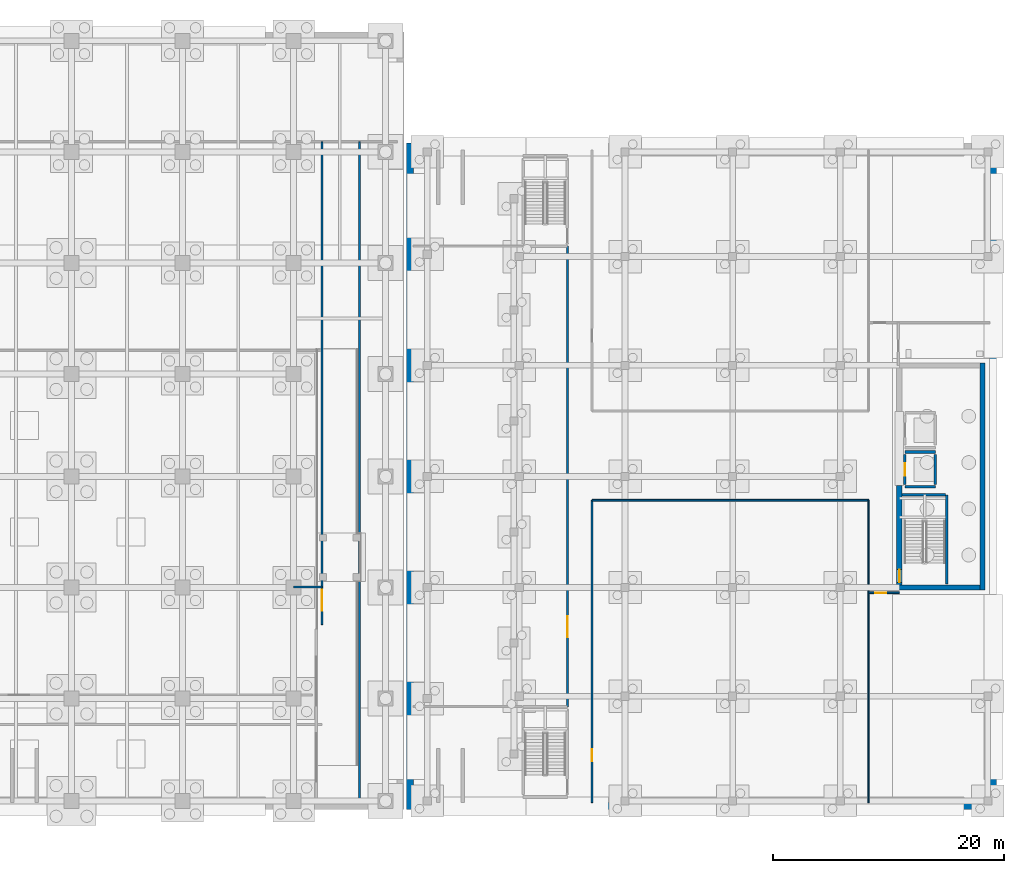
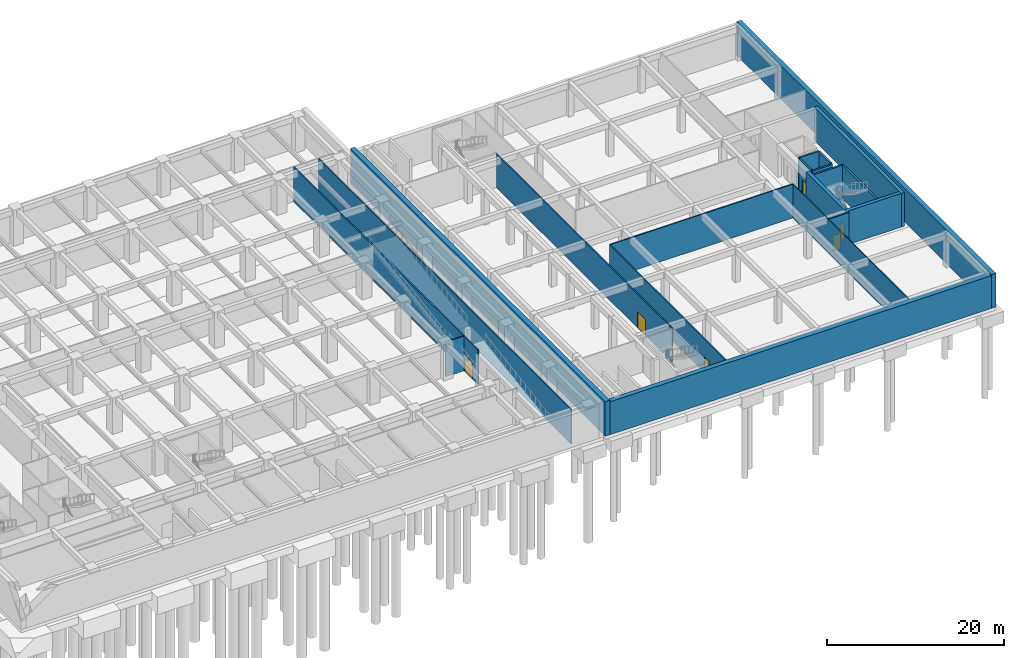
# One storey, part 13 of 20: 20 walls, 6 doors, 6 openings.
"""IFC4 building model written with IfcOpenShell, lengths in metres."""

from ifc_helpers import new_model, si_unit, direction, frame, frame_2d, origin, place, context, subcontext, project, spatial, rectangle, extrude, material, layer, layer_set, type_object, element, fill, save


model = new_model("IFC4")

# Units and contexts
model_context = context("Model", 3, precision=1e-05, world=origin(), true_north=direction((0.0, 1.0)))
body_context = subcontext(model_context, "Body", "Model", "MODEL_VIEW")
ifc_project = project(units=[si_unit("LENGTHUNIT", "METRE"), si_unit("AREAUNIT", "SQUARE_METRE"), si_unit("VOLUMEUNIT", "CUBIC_METRE"), si_unit("PLANEANGLEUNIT", "RADIAN"), si_unit("MASSUNIT", "GRAM", prefix="KILO")], contexts=[model_context])

# Site, building, storey
site_placement = place(None, origin())
site = spatial("IfcSite", under=ifc_project, at=site_placement, CompositionType="ELEMENT")
building_placement = place(site_placement, origin())
building = spatial("IfcBuilding", under=site, at=building_placement, Name="Norrvale University Quadrangle", CompositionType="ELEMENT")
storey_placement = place(building_placement, frame((0.0, 0.0, -5.0)))
storey = spatial("IfcBuildingStorey", under=building, at=storey_placement, Name="B01", CompositionType="ELEMENT", Elevation=-5.0)

# Wall
ifc_material_1 = material(Name="Standard Academic Gypsum Partition")
ifc_layer_1 = layer(ifc_material_1, 0.125, Name="Standard Academic Gypsum Partition")
ifc_layer_set_1 = layer_set([ifc_layer_1], Name="Standard Academic Gypsum Partition")
wall_type_1 = type_object("IfcWallType", Name="Wall Gypsum Academic 125", PredefinedType="PARTITIONING", material=ifc_layer_set_1)
wall_1_placement = place(storey_placement, frame((116.139892578125, 0.60009765625, 0.0), z_axis=(0.0, 0.0, 1.0), x_axis=(0.0, 1.0, 0.0)))
element("IfcWall", 1, at=wall_1_placement, inside=storey, type_object=wall_type_1, Name="Interior Partition WL-B01-LCW-SE", PredefinedType="PARTITIONING", context=body_context, shape_type="SweptSolid", body=[
    extrude(rectangle(XDim=26.139892578125, YDim=0.125, at=frame_2d((13.06982421875, 0.0))), origin(), (0.0, 0.0, 1.0), 4.64990234375),
])

# Wall, opening, door
ifc_material_2 = material(Name="Fire-Rated Gypsum Stud Partition")
ifc_layer_2 = layer(ifc_material_2, 0.14990234375, Name="Fire-Rated Gypsum Stud Partition")
ifc_layer_set_2 = layer_set([ifc_layer_2], Name="Fire-Rated Gypsum Stud Partition")
wall_type_2 = type_object("IfcWallType", Name="Wall Gypsum Corridor 150", PredefinedType="PARTITIONING", material=ifc_layer_set_2)
wall_2_placement = place(storey_placement, frame((68.89990234375, 16.0, 0.0), z_axis=(0.0, 0.0, 1.0), x_axis=(0.0, 1.0, 0.0)))
wall_2 = element("IfcWall", 2, at=wall_2_placement, inside=storey, type_object=wall_type_2, Name="Interior Partition WL-B01-CEEND", PredefinedType="PARTITIONING", context=body_context, shape_type="SweptSolid", body=[
    extrude(rectangle(XDim=41.719970703125, YDim=0.14990234375, at=frame_2d((20.85986328125, 0.0))), origin(), (0.0, 0.0, 1.0), 4.780029296875),
])
opening_1_placement = place(wall_2_placement, frame((1.199951171875, 0.0, 0.0)))
opening_1 = element("IfcOpeningElement", 3, at=opening_1_placement, cuts=wall_2, Name="Opening D03", PredefinedType="OPENING", context=body_context, shape_type="SweptSolid", body=[
    extrude(rectangle(XDim=1.800048828125, YDim=2.199951171875, at=frame_2d((0.89990234375, 1.10009765625))), frame((0.0, 0.0869140625, 0.0), z_axis=(0.0, -1.0, 0.0), x_axis=(1.0, 0.0, 0.0)), (0.0, 0.0, 1.0), 0.173828125),
])
ifc_material_3 = material(Name="Hollow Steel 350W Fire Door", Category="steel")
door_type_1 = type_object("IfcDoorType", Name="Door Fire Lobby 1800x2200", OperationType="DOUBLE_DOOR_SINGLE_SWING", PredefinedType="DOOR", material=ifc_material_3)
door_1_placement = place(opening_1_placement, origin())
door_1 = element("IfcDoor", 4, at=door_1_placement, inside=storey, type_object=door_type_1, Name="Door Fire Lobby 1800x2200 DR-B01-RMP", OperationType="DOUBLE_DOOR_SINGLE_SWING", OverallHeight=2.199951171875, OverallWidth=1.800048828125, PredefinedType="DOOR", context=body_context, shape_type="SweptSolid", body=[
    extrude(rectangle(XDim=1.800048828125, YDim=2.199951171875, at=frame_2d((0.89990234375, 1.10009765625))), frame((0.0, 0.02490234375, 0.0), z_axis=(0.0, -1.0, 0.0), x_axis=(1.0, 0.0, 0.0)), (0.0, 0.0, 1.0), 0.050048828125),
])
fill(opening_1, door_1)

# Walls
wall_3_placement = place(storey_placement, frame((72.14990234375, 0.60009765625, 0.0), z_axis=(0.0, 0.0, 1.0), x_axis=(0.0, 1.0, 0.0)))
element("IfcWall", 5, at=wall_3_placement, inside=storey, type_object=wall_type_2, Name="Interior Partition WL-B01-RMP-E", PredefinedType="PARTITIONING", context=body_context, shape_type="SweptSolid", body=[
    extrude(rectangle(XDim=57.119873046875, YDim=0.14990234375, at=frame_2d((28.56005859375, 0.0))), origin(), (0.0, 0.0, 1.0), 4.780029296875),
])
wall_4_placement = place(storey_placement, frame((66.449951171875, 19.25, 0.0), z_axis=(0.0, 0.0, 1.0), x_axis=(1.0, 0.0, 0.0)))
element("IfcWall", 6, at=wall_4_placement, inside=storey, type_object=wall_type_2, Name="Interior Partition WL-B01-PK-S-B2", PredefinedType="PARTITIONING", context=body_context, shape_type="SweptSolid", body=[
    extrude(rectangle(XDim=2.449951171875, YDim=0.14990234375, at=frame_2d((1.22509765625, 0.0))), origin(), (0.0, 0.0, 1.0), 4.780029296875),
])

# Wall, opening, door
wall_5_placement = place(storey_placement, frame((90.1201171875, 8.89990234375, 0.0), z_axis=(0.0, 0.0, 1.0), x_axis=(0.0, 1.0, 0.0)))
wall_5 = element("IfcWall", 7, at=wall_5_placement, inside=storey, type_object=wall_type_2, Name="Interior Partition WL-B01-LCW-W", PredefinedType="PARTITIONING", context=body_context, shape_type="SweptSolid", body=[
    extrude(rectangle(XDim=39.800048828125, YDim=0.14990234375, at=frame_2d((19.89990234375, 0.0))), origin(), (0.0, 0.0, 1.0), 4.64990234375),
])
opening_2_placement = place(wall_5_placement, frame((6.0, 0.0, 0.0)))
opening_2 = element("IfcOpeningElement", 8, at=opening_2_placement, cuts=wall_5, Name="Opening D03", PredefinedType="OPENING", context=body_context, shape_type="SweptSolid", body=[
    extrude(rectangle(XDim=1.800048828125, YDim=2.199951171875, at=frame_2d((0.89990234375, 1.10009765625))), frame((0.0, 0.0869140625, 0.0), z_axis=(0.0, -1.0, 0.0), x_axis=(1.0, 0.0, 0.0)), (0.0, 0.0, 1.0), 0.173828125),
])
door_2_placement = place(opening_2_placement, origin())
door_2 = element("IfcDoor", 9, at=door_2_placement, inside=storey, type_object=door_type_1, Name="Door Fire Lobby 1800x2200 DR-B01-LMECH", OperationType="DOUBLE_DOOR_SINGLE_SWING", OverallHeight=2.199951171875, OverallWidth=1.800048828125, PredefinedType="DOOR", context=body_context, shape_type="SweptSolid", body=[
    extrude(rectangle(XDim=1.800048828125, YDim=2.199951171875, at=frame_2d((0.89990234375, 1.10009765625))), frame((0.0, 0.02490234375, 0.0), z_axis=(0.0, -1.0, 0.0), x_axis=(1.0, 0.0, 0.0)), (0.0, 0.0, 1.0), 0.050048828125),
])
fill(opening_2, door_2)

wall_6_placement = place(storey_placement, frame((92.239990234375, 0.60009765625, 0.0), z_axis=(0.0, 0.0, 1.0), x_axis=(0.0, 1.0, 0.0)))
wall_6 = element("IfcWall", 10, at=wall_6_placement, inside=storey, type_object=wall_type_2, Name="Interior Partition WL-B01-LCW-E1", PredefinedType="PARTITIONING", context=body_context, shape_type="SweptSolid", body=[
    extrude(rectangle(XDim=26.139892578125, YDim=0.14990234375, at=frame_2d((13.06982421875, 0.0))), origin(), (0.0, 0.0, 1.0), 4.64990234375),
])
opening_3_placement = place(wall_6_placement, frame((3.60009765625, 0.0, 0.0)))
opening_3 = element("IfcOpeningElement", 11, at=opening_3_placement, cuts=wall_6, Name="Opening D04", PredefinedType="OPENING", context=body_context, shape_type="SweptSolid", body=[
    extrude(rectangle(XDim=1.0, YDim=2.199951171875, at=frame_2d((0.5, 1.10009765625))), frame((0.0, 0.0869140625, 0.0), z_axis=(0.0, -1.0, 0.0), x_axis=(1.0, 0.0, 0.0)), (0.0, 0.0, 1.0), 0.173828125),
])
ifc_material_4 = material(Name="Solid-Core Oak Fire Door", Category="wood")
door_type_2 = type_object("IfcDoorType", Name="Door Corridor 1000x2200", OperationType="NOTDEFINED", PredefinedType="DOOR", material=ifc_material_4)
door_3_placement = place(opening_3_placement, origin())
door_3 = element("IfcDoor", 12, at=door_3_placement, inside=storey, type_object=door_type_2, Name="Door Corridor 1000x2200 DR-B01-LCOMP", OperationType="SINGLE_SWING_RIGHT", OverallHeight=2.199951171875, OverallWidth=1.0, PredefinedType="DOOR", context=body_context, shape_type="SweptSolid", body=[
    extrude(rectangle(XDim=1.0, YDim=2.199951171875, at=frame_2d((0.5, 1.10009765625))), frame((0.0, 0.02490234375, 0.0), z_axis=(0.0, -1.0, 0.0), x_axis=(1.0, 0.0, 0.0)), (0.0, 0.0, 1.0), 0.050048828125),
])
fill(opening_3, door_3)

# Wall
wall_7_placement = place(storey_placement, frame((92.239990234375, 26.739990234375, 0.0), z_axis=(0.0, 0.0, 1.0), x_axis=(1.0, 0.0, 0.0)))
element("IfcWall", 13, at=wall_7_placement, inside=storey, type_object=wall_type_2, Name="Interior Partition WL-B01-LCW-S", PredefinedType="PARTITIONING", context=body_context, shape_type="SweptSolid", body=[
    extrude(rectangle(XDim=23.89990234375, YDim=0.14990234375, at=frame_2d((11.949951171875, 0.0))), origin(), (0.0, 0.0, 1.0), 4.64990234375),
])

# Wall, opening, door
wall_8_placement = place(storey_placement, frame((116.139892578125, 18.739990234375, 0.0), z_axis=(0.0, 0.0, 1.0), x_axis=(1.0, 0.0, 0.0)))
wall_8 = element("IfcWall", 14, at=wall_8_placement, inside=storey, type_object=wall_type_2, Name="Interior Partition WL-B01-LSTOR-N", PredefinedType="PARTITIONING", context=body_context, shape_type="SweptSolid", body=[
    extrude(rectangle(XDim=2.66015625, YDim=0.14990234375, at=frame_2d((1.330078125, 0.0))), origin(), (0.0, 0.0, 1.0), 4.64990234375),
])
opening_4_placement = place(wall_8_placement, frame((0.60009765625, 0.0, 0.0)))
opening_4 = element("IfcOpeningElement", 15, at=opening_4_placement, cuts=wall_8, Name="Opening D07", PredefinedType="OPENING", context=body_context, shape_type="SweptSolid", body=[
    extrude(rectangle(XDim=0.949951171875, YDim=2.14990234375, at=frame_2d((0.47509765625, 1.074951171875))), frame((0.0, 0.0869140625, 0.0), z_axis=(0.0, -1.0, 0.0), x_axis=(1.0, 0.0, 0.0)), (0.0, 0.0, 1.0), 0.173828125),
])
ifc_material_5 = material(Name="Solid-Core Maple Door", Category="wood")
door_type_3 = type_object("IfcDoorType", Name="Door Office 950x2150", OperationType="NOTDEFINED", PredefinedType="DOOR", material=ifc_material_5)
door_4_placement = place(opening_4_placement, origin())
door_4 = element("IfcDoor", 16, at=door_4_placement, inside=storey, type_object=door_type_3, Name="Door Office 950x2150 DR-B01-LSTOR", OperationType="SINGLE_SWING_LEFT", OverallHeight=2.14990234375, OverallWidth=0.949951171875, PredefinedType="DOOR", context=body_context, shape_type="SweptSolid", body=[
    extrude(rectangle(XDim=0.949951171875, YDim=2.14990234375, at=frame_2d((0.47509765625, 1.074951171875))), frame((0.0, 0.02490234375, 0.0), z_axis=(0.0, -1.0, 0.0), x_axis=(1.0, 0.0, 0.0)), (0.0, 0.0, 1.0), 0.050048828125),
])
fill(opening_4, door_4)

# Walls
ifc_material_6 = material(Name="Concrete C60/75", Category="concrete")
ifc_layer_3 = layer(ifc_material_6, 0.449951171875, Name="Concrete C60/75")
ifc_layer_set_3 = layer_set([ifc_layer_3], Name="Concrete C60/75")
wall_type_3 = type_object("IfcWallType", Name="Wall Lib Core 450", PredefinedType="SHEAR", material=ifc_layer_set_3)
wall_9_placement = place(storey_placement, frame((118.574951171875, 19.199951171875, 0.0), z_axis=(0.0, 0.0, 1.0), x_axis=(1.0, 0.0, 0.0)))
element("IfcWall", 17, at=wall_9_placement, inside=storey, type_object=wall_type_3, Name="Library Core Shear Wall B01-S", PredefinedType="SHEAR", context=body_context, shape_type="SweptSolid", body=[
    extrude(rectangle(XDim=7.199951171875, YDim=0.449951171875, at=frame_2d((3.60009765625, 0.0))), origin(), (0.0, 0.0, 1.0), 4.64990234375),
])
wall_10_placement = place(storey_placement, frame((126.0, 18.97509765625, 0.0), z_axis=(0.0, 0.0, 1.0), x_axis=(0.0, 1.0, 0.0)))
element("IfcWall", 18, at=wall_10_placement, inside=storey, type_object=wall_type_3, Name="Library Core Shear Wall B01-E", PredefinedType="SHEAR", context=body_context, shape_type="SweptSolid", body=[
    extrude(rectangle(XDim=19.64990234375, YDim=0.449951171875, at=frame_2d((9.824951171875, 0.0))), origin(), (0.0, 0.0, 1.0), 4.64990234375),
])

# Wall, opening, door
wall_11_placement = place(storey_placement, frame((118.800048828125, 19.425048828125, 0.0), z_axis=(0.0, 0.0, 1.0), x_axis=(0.0, 1.0, 0.0)))
wall_11 = element("IfcWall", 19, at=wall_11_placement, inside=storey, type_object=wall_type_3, Name="Library Core Shear Wall B01-W1", PredefinedType="SHEAR", context=body_context, shape_type="SweptSolid", body=[
    extrude(rectangle(XDim=8.574951171875, YDim=0.449951171875, at=frame_2d((4.28759765625, 0.0))), origin(), (0.0, 0.0, 1.0), 4.64990234375),
])
opening_5_placement = place(wall_11_placement, frame((0.219970703125, 0.0, 0.0)))
opening_5 = element("IfcOpeningElement", 20, at=opening_5_placement, cuts=wall_11, Name="Opening D02", PredefinedType="OPENING", context=body_context, shape_type="SweptSolid", body=[
    extrude(rectangle(XDim=1.10009765625, YDim=2.199951171875, at=frame_2d((0.550048828125, 1.10009765625))), frame((0.0, 0.237060546875, 0.0), z_axis=(0.0, -1.0, 0.0), x_axis=(1.0, 0.0, 0.0)), (0.0, 0.0, 1.0), 0.473876953125),
])
door_type_4 = type_object("IfcDoorType", Name="Door Stair Exit 1100x2200", OperationType="NOTDEFINED", PredefinedType="DOOR", material=ifc_material_3)
door_5_placement = place(opening_5_placement, frame((1.10009765625, 0.0, 0.0), z_axis=(0.0, 0.0, 1.0), x_axis=(-1.0, 0.0, 0.0)))
door_5 = element("IfcDoor", 21, at=door_5_placement, inside=storey, type_object=door_type_4, Name="Door Stair Exit 1100x2200 DR-B01-STL1", OperationType="SINGLE_SWING_LEFT", OverallHeight=2.199951171875, OverallWidth=1.10009765625, PredefinedType="DOOR", context=body_context, shape_type="SweptSolid", body=[
    extrude(rectangle(XDim=1.10009765625, YDim=2.199951171875, at=frame_2d((0.550048828125, 1.10009765625))), frame((0.0, 0.02490234375, 0.0), z_axis=(0.0, -1.0, 0.0), x_axis=(1.0, 0.0, 0.0)), (0.0, 0.0, 1.0), 0.050048828125),
])
fill(opening_5, door_5)

# Walls
ifc_material_7 = material(Name="Concrete C50/60", Category="concrete")
ifc_layer_4 = layer(ifc_material_7, 0.60009765625, Name="Concrete C50/60")
ifc_layer_set_4 = layer_set([ifc_layer_4], Name="Concrete C50/60")
wall_type_4 = type_object("IfcWallType", Name="Wall Retaining 600", PredefinedType="USERDEFINED", material=ifc_layer_set_4)
wall_12_placement = place(storey_placement, frame((76.800048828125, 0.300048828125, 0.0), z_axis=(0.0, 0.0, 1.0), x_axis=(1.0, 0.0, 0.0)))
element("IfcWall", 22, at=wall_12_placement, inside=storey, type_object=wall_type_4, Name="Basement Retaining Wall L-S", ObjectType="RETAININGWALL", PredefinedType="USERDEFINED", context=body_context, shape_type="SweptSolid", body=[
    extrude(rectangle(XDim=49.800048828125, YDim=0.60009765625, at=frame_2d((24.89990234375, 0.0))), origin(), (0.0, 0.0, 1.0), 4.5400390625),
])
wall_13_placement = place(storey_placement, frame((126.89990234375, 0.0, 0.0), z_axis=(0.0, 0.0, 1.0), x_axis=(0.0, 1.0, 0.0)))
element("IfcWall", 23, at=wall_13_placement, inside=storey, type_object=wall_type_4, Name="Basement Retaining Wall L-E", ObjectType="RETAININGWALL", PredefinedType="USERDEFINED", context=body_context, shape_type="SweptSolid", body=[
    extrude(rectangle(XDim=57.60009765625, YDim=0.60009765625, at=frame_2d((28.800048828125, 0.0))), origin(), (0.0, 0.0, 1.0), 4.64990234375),
])
wall_14_placement = place(storey_placement, frame((76.5, 57.60009765625, 0.0), z_axis=(0.0, 0.0, 1.0), x_axis=(0.0, -1.0, 0.0)))
element("IfcWall", 24, at=wall_14_placement, inside=storey, type_object=wall_type_4, Name="Basement Retaining Wall L-W", ObjectType="RETAININGWALL", PredefinedType="USERDEFINED", context=body_context, shape_type="SweptSolid", body=[
    extrude(rectangle(XDim=57.60009765625, YDim=0.60009765625, at=frame_2d((28.800048828125, 0.0))), origin(), (0.0, 0.0, 1.0), 4.780029296875),
])
ifc_material_8 = material(Name="Concrete Blockwork 20 MPa Fire Shaft", Category="masonry")
ifc_layer_5 = layer(ifc_material_8, 0.219970703125, Name="Concrete Blockwork 20 MPa Fire Shaft")
ifc_layer_set_5 = layer_set([ifc_layer_5], Name="Concrete Blockwork 20 MPa Fire Shaft")
wall_type_5 = type_object("IfcWallType", Name="Wall Shaft 220", PredefinedType="SOLIDWALL", material=ifc_layer_set_5)
wall_15_placement = place(storey_placement, frame((122.909912109375, 19.5, 0.0), z_axis=(0.0, 0.0, 1.0), x_axis=(0.0, 1.0, 0.0)))
element("IfcWall", 25, at=wall_15_placement, inside=storey, type_object=wall_type_5, Name="Library Stair ST-L1 East Wall B01", PredefinedType="SOLIDWALL", context=body_context, shape_type="SweptSolid", body=[
    extrude(rectangle(XDim=7.7099609375, YDim=0.219970703125, at=frame_2d((3.85498046875, 0.0))), origin(), (0.0, 0.0, 1.0), 4.64990234375),
])
wall_16_placement = place(storey_placement, frame((119.050048828125, 27.2099609375, 0.0), z_axis=(0.0, 0.0, 1.0), x_axis=(1.0, 0.0, 0.0)))
element("IfcWall", 26, at=wall_16_placement, inside=storey, type_object=wall_type_5, Name="Library Stair ST-L1 North Wall B01", PredefinedType="SOLIDWALL", context=body_context, shape_type="SweptSolid", body=[
    extrude(rectangle(XDim=3.75, YDim=0.219970703125, at=frame_2d((1.875, 0.0))), origin(), (0.0, 0.0, 1.0), 4.64990234375),
])

# Wall, opening, door
wall_17_placement = place(storey_placement, frame((119.2900390625, 28.110107421875, 0.0), z_axis=(0.0, 0.0, 1.0), x_axis=(0.0, 1.0, 0.0)))
wall_17 = element("IfcWall", 27, at=wall_17_placement, inside=storey, type_object=wall_type_5, Name="Hoistway LL-01 West Wall B01", PredefinedType="SOLIDWALL", context=body_context, shape_type="SweptSolid", body=[
    extrude(rectangle(XDim=2.579833984375, YDim=0.219970703125, at=frame_2d((1.2900390625, 0.0))), origin(), (0.0, 0.0, 1.0), 4.64990234375),
])
opening_6_placement = place(wall_17_placement, frame((0.739990234375, 0.0, 0.0)))
opening_6 = element("IfcOpeningElement", 28, at=opening_6_placement, cuts=wall_17, Name="Opening LD1", PredefinedType="OPENING", context=body_context, shape_type="SweptSolid", body=[
    extrude(rectangle(XDim=1.10009765625, YDim=2.199951171875, at=frame_2d((0.550048828125, 1.10009765625))), frame((0.0, 0.1220703125, 0.0), z_axis=(0.0, -1.0, 0.0), x_axis=(1.0, 0.0, 0.0)), (0.0, 0.0, 1.0), 0.243896484375),
])
ifc_material_9 = material(Name="Stainless Steel 316L Lift Landing Door", Category="steel")
door_type_5 = type_object("IfcDoorType", Name="Door Lift Landing 1100x2200", OperationType="DOUBLE_DOOR_SLIDING", PredefinedType="DOOR", material=ifc_material_9)
door_6_placement = place(opening_6_placement, origin())
door_6 = element("IfcDoor", 29, at=door_6_placement, inside=storey, type_object=door_type_5, Name="Elevator Landing Door DR-B01-LL-01", OperationType="DOUBLE_DOOR_SLIDING", OverallHeight=2.199951171875, OverallWidth=1.10009765625, PredefinedType="DOOR", context=body_context, shape_type="SweptSolid", body=[
    extrude(rectangle(XDim=1.10009765625, YDim=2.199951171875, at=frame_2d((0.550048828125, 1.10009765625))), frame((0.0, 0.02490234375, 0.0), z_axis=(0.0, -1.0, 0.0), x_axis=(1.0, 0.0, 0.0)), (0.0, 0.0, 1.0), 0.050048828125),
])
fill(opening_6, door_6)

# Walls
wall_18_placement = place(storey_placement, frame((121.909912109375, 28.110107421875, 0.0), z_axis=(0.0, 0.0, 1.0), x_axis=(0.0, 1.0, 0.0)))
element("IfcWall", 30, at=wall_18_placement, inside=storey, type_object=wall_type_5, Name="Hoistway LL-01 East Wall B01", PredefinedType="SOLIDWALL", context=body_context, shape_type="SweptSolid", body=[
    extrude(rectangle(XDim=2.579833984375, YDim=0.219970703125, at=frame_2d((1.2900390625, 0.0))), origin(), (0.0, 0.0, 1.0), 4.64990234375),
])
for number, where, z_axis, x_axis, name in (
    (31, (119.2900390625, 27.889892578125, 0.0), (0.0, 0.0, 1.0), (1.0, 0.0, 0.0), "Hoistway LL-01 South Wall B01"),
    (32, (119.2900390625, 30.909912109375, 0.0), (0.0, 0.0, 1.0), (1.0, 0.0, 0.0), "Hoistway LL-01 North Wall B01"),
):
    element("IfcWall", number, at=place(storey_placement, frame(where, z_axis=z_axis, x_axis=x_axis)), inside=storey, type_object=wall_type_5, Name=name, PredefinedType="SOLIDWALL", context=body_context, shape_type="SweptSolid", body=[
        extrude(rectangle(XDim=2.619873046875, YDim=0.219970703125, at=frame_2d((1.31005859375, 0.0))), origin(), (0.0, 0.0, 1.0), 4.64990234375),
    ])

save(model, "model.ifc")
